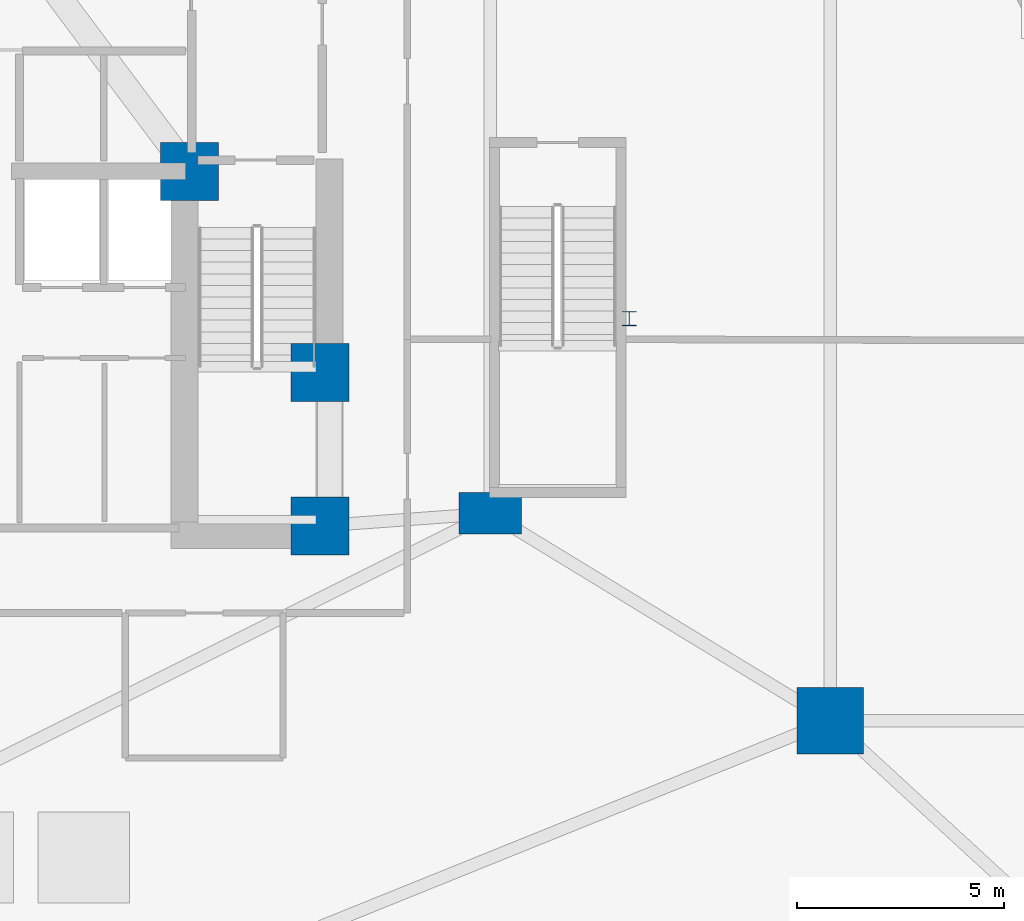
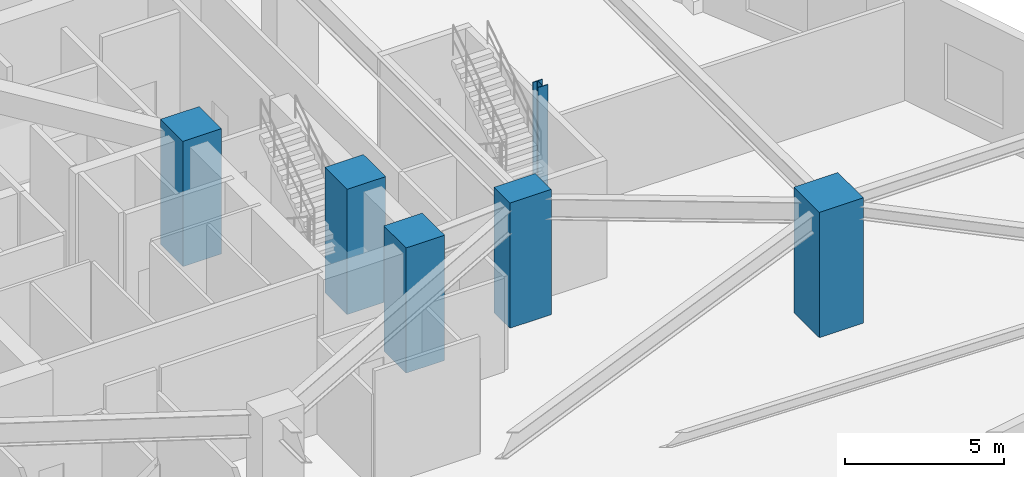
# One storey, part 2 of 23: 6 columns.
"""IFC4 building model written with IfcOpenShell, lengths in metres."""

from ifc_helpers import new_model, si_unit, direction, frame, origin, origin_2d, place, context, subcontext, project, spatial, rectangle, i_section, extrude, material, material_profile, profile_set, type_object, element, save


model = new_model("IFC4")

# Units and contexts
model_context = context("Model", 3, precision=1e-05, world=origin(), true_north=direction((0.0, 1.0)))
body_context = subcontext(model_context, "Body", "Model", "MODEL_VIEW")
ifc_project = project(units=[si_unit("LENGTHUNIT", "METRE"), si_unit("AREAUNIT", "SQUARE_METRE"), si_unit("VOLUMEUNIT", "CUBIC_METRE"), si_unit("PLANEANGLEUNIT", "RADIAN"), si_unit("MASSUNIT", "GRAM", prefix="KILO")], contexts=[model_context])

# Site, building, storey
site_placement = place(None, origin())
site = spatial("IfcSite", under=ifc_project, at=site_placement, CompositionType="ELEMENT")
building_placement = place(site_placement, origin())
building = spatial("IfcBuilding", under=site, at=building_placement, Name="Miruveldt Soraemaru", CompositionType="ELEMENT")
storey_placement = place(building_placement, frame((0.0, 0.0, 9.60009765625)))
storey = spatial("IfcBuildingStorey", under=building, at=storey_placement, Name="L03", CompositionType="ELEMENT", Elevation=9.60009765625)

# Columns
ifc_material_1 = material(Name="Concrete C80/95 (80 MPa)", Category="concrete")
ifc_material_profile_1 = material_profile(ifc_material_1, rectangle(XDim=1.39990234375, YDim=1.39990234375, at=origin_2d()), Name="Concrete C80/95 (80 MPa)", Category="concrete")
ifc_profile_set_1 = profile_set([ifc_material_profile_1], Name="Concrete C80/95 (80 MPa)")
column_type_1 = type_object("IfcColumnType", Name="COL-MEGA-1400", PredefinedType="COLUMN", material=ifc_profile_set_1)
for number, where, z_axis, x_axis, name in (
    (1, (52.5, 35.5, 0.0), (0.0, 0.0, 1.0), (1.0, 0.0, 0.0), "L03 Structural Column CC3"),
    (2, (52.5, 39.199951171875, 0.0), (0.0, 0.0, 1.0), (1.0, 0.0, 0.0), "L03 Structural Column CC4"),
    (3, (49.35009765625, 44.050048828125, 0.0), (0.0, 0.0, 1.0), (1.0, 0.0, 0.0), "L03 Structural Column CC5"),
):
    element("IfcColumn", number, at=place(storey_placement, frame(where, z_axis=z_axis, x_axis=x_axis)), inside=storey, type_object=column_type_1, Name=name, PredefinedType="COLUMN", context=body_context, shape_type="SweptSolid", body=[
        extrude(rectangle(XDim=1.39990234375, YDim=1.39990234375, at=origin_2d()), origin(), (0.0, 0.0, 1.0), 4.7998046875),
    ])
ifc_material_profile_2 = material_profile(ifc_material_1, rectangle(XDim=1.60009765625, YDim=1.60009765625, at=origin_2d()), Name="Concrete C80/95 (80 MPa)", Category="concrete")
ifc_profile_set_2 = profile_set([ifc_material_profile_2], Name="Concrete C80/95 (80 MPa)")
column_type_2 = type_object("IfcColumnType", Name="COL-MEGA-1600", PredefinedType="COLUMN", material=ifc_profile_set_2)
column_1_placement = place(storey_placement, frame((64.800048828125, 30.800048828125, 0.0), z_axis=(0.0, 0.0, 1.0), x_axis=(1.0, 0.0, 0.0)))
element("IfcColumn", 4, at=column_1_placement, inside=storey, type_object=column_type_2, Name="L03 Structural Column PM03", PredefinedType="COLUMN", context=body_context, shape_type="SweptSolid", body=[
    extrude(rectangle(XDim=1.60009765625, YDim=1.60009765625, at=origin_2d()), origin(), (0.0, 0.0, 1.0), 4.7998046875),
])
ifc_material_2 = material(Name="Steel SM355 (355 MPa)", Category="steel")
ifc_material_profile_3 = material_profile(ifc_material_2, i_section(OverallWidth=0.35009765625, OverallDepth=0.35009765625, WebThickness=0.011962890625, FlangeThickness=0.01904296875, FilletRadius=0.02001953125, at=origin_2d()), Name="Steel SM355 (355 MPa)", Category="steel")
ifc_profile_set_3 = profile_set([ifc_material_profile_3], Name="Steel SM355 (355 MPa)")
column_type_3 = type_object("IfcColumnType", Name="COL-PIL-350", PredefinedType="PILASTER", material=ifc_profile_set_3)
column_2_placement = place(storey_placement, frame((59.949951171875, 40.5, 0.0), z_axis=(0.0, 0.0, 1.0), x_axis=(1.0, 0.0, 0.0)))
element("IfcColumn", 5, at=column_2_placement, inside=storey, type_object=column_type_3, Name="L03 Structural Column PIL2", PredefinedType="PILASTER", context=body_context, shape_type="SweptSolid", body=[
    extrude(i_section(OverallWidth=0.35009765625, OverallDepth=0.35009765625, WebThickness=0.011962890625, FlangeThickness=0.01904296875, FilletRadius=0.02001953125, at=origin_2d()), origin(), (0.0, 0.0, 1.0), 4.7998046875),
])
ifc_material_profile_4 = material_profile(ifc_material_1, rectangle(XDim=1.5, YDim=1.0, at=origin_2d()), Name="Concrete C80/95 (80 MPa)", Category="concrete")
ifc_profile_set_4 = profile_set([ifc_material_profile_4], Name="Concrete C80/95 (80 MPa)")
column_type_4 = type_object("IfcColumnType", Name="COL-TW-Z1A", PredefinedType="COLUMN", material=ifc_profile_set_4)
column_3_placement = place(storey_placement, frame((56.60009765625, 35.800048828125, 0.0), z_axis=(0.0, 0.0, 1.0), x_axis=(1.0, 0.0, 0.0)))
element("IfcColumn", 6, at=column_3_placement, inside=storey, type_object=column_type_4, Name="L03 Structural Column IR03", PredefinedType="COLUMN", context=body_context, shape_type="SweptSolid", body=[
    extrude(rectangle(XDim=1.5, YDim=1.0, at=origin_2d()), origin(), (0.0, 0.0, 1.0), 4.7998046875),
])

save(model, "model.ifc")
